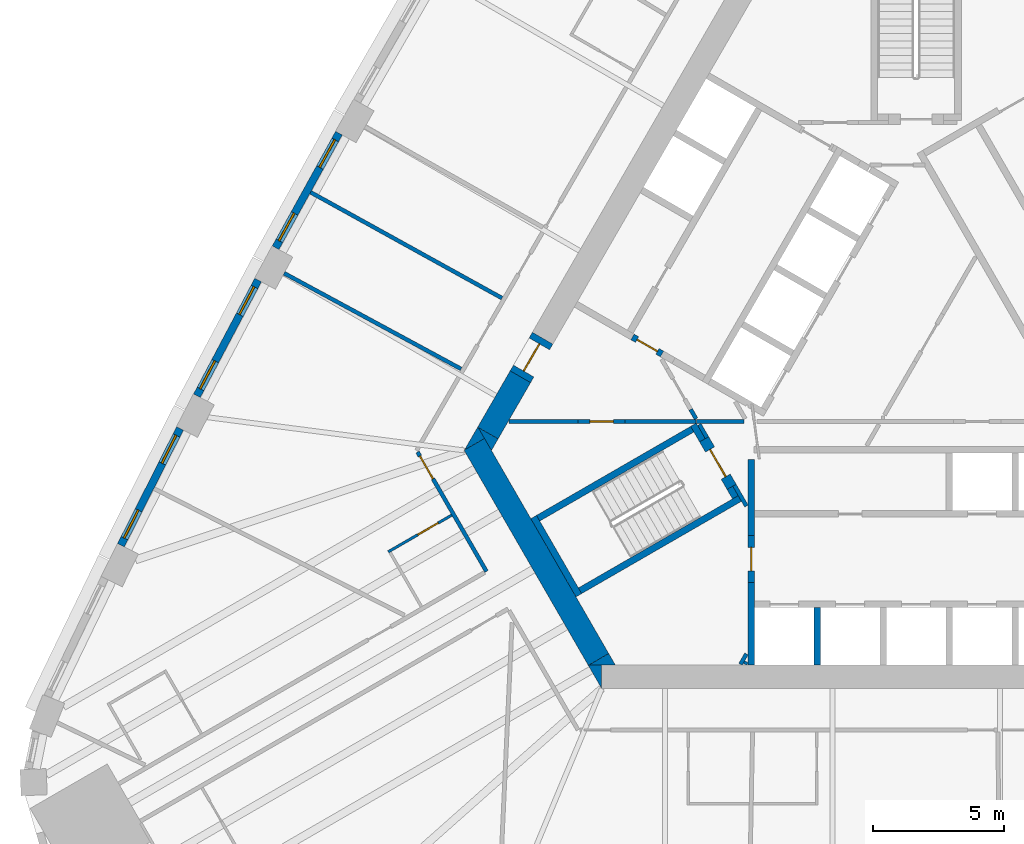
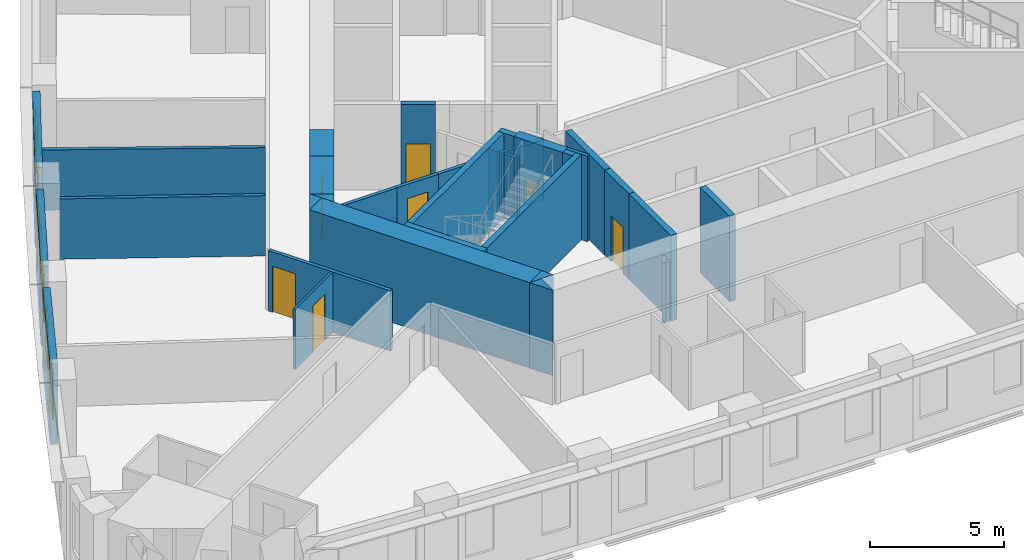
# One storey, part 4 of 13: 34 walls, 7 doors, 6 windows, 13 openings.
"""IFC4 building model written with IfcOpenShell, lengths in metres."""

from ifc_helpers import new_model, si_unit, direction, frame, frame_2d, origin, place, context, subcontext, project, spatial, polyline, rectangle, outline, extrude, material, layer, layer_set, type_object, element, fill, save


model = new_model("IFC4")

# Units and contexts
model_context = context("Model", 3, precision=1e-05, world=origin(), true_north=direction((0.0, 1.0)))
body_context = subcontext(model_context, "Body", "Model", "MODEL_VIEW")
ifc_project = project(units=[si_unit("LENGTHUNIT", "METRE"), si_unit("AREAUNIT", "SQUARE_METRE"), si_unit("VOLUMEUNIT", "CUBIC_METRE"), si_unit("PLANEANGLEUNIT", "RADIAN"), si_unit("MASSUNIT", "GRAM", prefix="KILO")], contexts=[model_context])

# Site, building, storey
site_placement = place(None, origin())
site = spatial("IfcSite", under=ifc_project, at=site_placement, CompositionType="ELEMENT")
building_placement = place(site_placement, origin())
building = spatial("IfcBuilding", under=site, at=building_placement, Name="Mestral Congress Tower", CompositionType="ELEMENT")
storey_placement = place(building_placement, frame((0.0, 0.0, 62.699951171875)))
storey = spatial("IfcBuildingStorey", under=building, at=storey_placement, Name="L14", CompositionType="ELEMENT", Elevation=62.699951171875)

# Walls
ifc_material_1 = material(Name="Fire-rated board partition")
ifc_layer_1 = layer(ifc_material_1, 0.14990234375)
ifc_layer_set_1 = layer_set([ifc_layer_1], Name="Fire-rated board partition")
wall_type_1 = type_object("IfcWallType", Name="Core partition 150", PredefinedType="PARTITIONING", material=ifc_layer_set_1)
wall_1_placement = place(storey_placement, frame((-6.707763671875, -12.068115234375, 0.0), z_axis=(0.0, 0.0, 1.0), x_axis=(0.500000789788, 0.8660249478, 0.0)))
element("IfcWall", 1, at=wall_1_placement, inside=storey, type_object=wall_type_1, Name="L14 core wall", PredefinedType="PARTITIONING", context=body_context, shape_type="SweptSolid", body=[
    extrude(rectangle(XDim=0.45556640625, YDim=0.14990234375, at=frame_2d((0.227783203125, 0.0))), origin(), (0.0, 0.0, 1.0), 2.75),
])
wall_2_placement = place(storey_placement, frame((-6.534423828125, -12.068115234375, 0.0), z_axis=(0.0, 0.0, 1.0), x_axis=(0.500240224089, 0.865886665912, 0.0)))
element("IfcWall", 2, at=wall_2_placement, inside=storey, type_object=wall_type_1, Name="L14 core wall", PredefinedType="PARTITIONING", context=body_context, shape_type="SweptSolid", body=[
    extrude(rectangle(XDim=0.10888671875, YDim=0.14990234375, at=frame_2d((0.054443359375, 0.0))), origin(), (0.0, 0.0, 1.0), 2.75),
])
wall_3_placement = place(storey_placement, frame((-12.9150390625, -2.800048828125, 0.0), z_axis=(0.0, 0.0, 1.0), x_axis=(-1.0, 0.0, 0.0)))
element("IfcWall", 3, at=wall_3_placement, inside=storey, type_object=wall_type_1, Name="L14 core wall", PredefinedType="PARTITIONING", context=body_context, shape_type="SweptSolid", body=[
    extrude(rectangle(XDim=2.63671875, YDim=0.14990234375, at=frame_2d((1.318359375, 0.0))), origin(), (0.0, 0.0, 1.0), 2.75),
])
wall_4_placement = place(storey_placement, frame((-8.394775390625, -2.800048828125, 0.0), z_axis=(0.0, 0.0, 1.0), x_axis=(1.0, 0.0, 0.0)))
element("IfcWall", 4, at=wall_4_placement, inside=storey, type_object=wall_type_1, Name="L14 core wall", PredefinedType="PARTITIONING", context=body_context, shape_type="SweptSolid", body=[
    extrude(rectangle(XDim=1.828125, YDim=0.14990234375, at=frame_2d((0.9140625, 0.0))), origin(), (0.0, 0.0, 1.0), 2.75),
])
wall_5_placement = place(storey_placement, frame((-11.11474609375, -2.800048828125, 0.0), z_axis=(0.0, 0.0, 1.0), x_axis=(1.0, 0.0, 0.0)))
element("IfcWall", 5, at=wall_5_placement, inside=storey, type_object=wall_type_1, Name="L14 core wall", PredefinedType="PARTITIONING", context=body_context, shape_type="SweptSolid", body=[
    extrude(rectangle(XDim=2.7080078125, YDim=0.14990234375, at=frame_2d((1.35400390625, 0.0))), origin(), (0.0, 0.0, 1.0), 2.75),
])
wall_6_placement = place(storey_placement, frame((-7.989990234375, -3.41162109375, 0.0), z_axis=(0.0, 0.0, 1.0), x_axis=(-0.500193841991, 0.86591346013, 0.0)))
element("IfcWall", 6, at=wall_6_placement, inside=storey, type_object=wall_type_1, Name="L14 core wall", PredefinedType="PARTITIONING", context=body_context, shape_type="SweptSolid", body=[
    extrude(rectangle(XDim=0.582763671875, YDim=0.14990234375, at=frame_2d((0.29150390625, 0.0))), origin(), (0.0, 0.0, 1.0), 2.75),
])
wall_7_placement = place(storey_placement, frame((-8.612060546875, -2.33349609375, 0.0), z_axis=(0.0, 0.0, 1.0), x_axis=(0.500248216681, -0.86588204838, 0.0)))
element("IfcWall", 7, at=wall_7_placement, inside=storey, type_object=wall_type_1, Name="L14 core wall", PredefinedType="PARTITIONING", context=body_context, shape_type="SweptSolid", body=[
    extrude(rectangle(XDim=0.415283203125, YDim=0.14990234375, at=frame_2d((0.20751953125, 0.0))), origin(), (0.0, 0.0, 1.0), 2.75),
])

# Wall, opening, door
wall_8_placement = place(storey_placement, frame((-12.914794921875, -2.800048828125, 0.0), z_axis=(0.0, 0.0, 1.0), x_axis=(1.0, 0.0, 0.0)))
wall_8 = element("IfcWall", 8, at=wall_8_placement, inside=storey, type_object=wall_type_1, Name="L14 door wall", PredefinedType="PARTITIONING", context=body_context, shape_type="SweptSolid", body=[
    extrude(rectangle(XDim=1.7998046875, YDim=0.14990234375, at=frame_2d((0.89990234375, 0.0))), origin(), (0.0, 0.0, 1.0), 2.75),
])
opening_1_placement = place(wall_8_placement, frame((0.449951171875, 0.0, 0.0)))
opening_1 = element("IfcOpeningElement", 9, at=opening_1_placement, cuts=wall_8, Name="Opening SD-HUB1", PredefinedType="OPENING", context=body_context, shape_type="SweptSolid", body=[
    extrude(rectangle(XDim=0.89990234375, YDim=2.10009765625, at=frame_2d((0.449951171875, 1.050048828125))), frame((0.0, 0.0849609375, 0.0), z_axis=(0.0, -1.0, 0.0), x_axis=(1.0, 0.0, 0.0)), (0.0, 0.0, 1.0), 0.169921875),
])
ifc_material_2 = material(Name="Fire-rated steel door set", Category="steel")
door_type_1 = type_object("IfcDoorType", Name="Core door SR 900x2100", OperationType="SINGLE_SWING_LEFT", PredefinedType="DOOR", material=ifc_material_2)
door_1_placement = place(opening_1_placement, origin())
door_1 = element("IfcDoor", 10, at=door_1_placement, inside=storey, type_object=door_type_1, Name="Door SD-HUB1", OperationType="SINGLE_SWING_LEFT", OverallHeight=2.10009765625, OverallWidth=0.89990234375, PredefinedType="DOOR", context=body_context, shape_type="SweptSolid", body=[
    extrude(rectangle(XDim=0.89990234375, YDim=2.10009765625, at=frame_2d((0.449951171875, 1.050048828125))), frame((0.0, 0.02490234375, 0.0), z_axis=(0.0, -1.0, 0.0), x_axis=(1.0, 0.0, 0.0)), (0.0, 0.0, 1.0), 0.050048828125),
])
fill(opening_1, door_1)

# Walls
ifc_material_3 = material(Name="Concrete C60/75", Category="concrete")
ifc_layer_2 = layer(ifc_material_3, 0.89990234375)
ifc_layer_set_2 = layer_set([ifc_layer_2], Name="Concrete C60/75")
wall_type_2 = type_object("IfcWallType", Name="Core wall RC 900", PredefinedType="SOLIDWALL", material=ifc_layer_set_2)
placement = place(storey_placement, origin())
element("IfcWall", 11, at=placement, inside=storey, type_object=wall_type_2, Name="L14 core wall", PredefinedType="SOLIDWALL", context=body_context, shape_type="SweptSolid", body=[
    extrude(outline(polyline([(-12.528564453125, -12.10009765625), (-12.0205078125, -12.10009765625), (-12.0205078125, -12.97998046875), (-12.528564453125, -12.10009765625)])), origin(), (0.0, 0.0, 1.0), 3.900146484375),
])
wall_10_placement = place(storey_placement, frame((-12.134033203125, -11.88330078125, 0.0), z_axis=(0.0, 0.0, 1.0), x_axis=(-0.500005339912, 0.866022320763, 0.0)))
element("IfcWall", 12, at=wall_10_placement, inside=storey, type_object=wall_type_2, Name="L14 core wall", PredefinedType="SOLIDWALL", context=body_context, shape_type="SweptSolid", body=[
    extrude(rectangle(XDim=9.48779296875, YDim=0.89990234375, at=frame_2d((4.743896484375, 0.0))), origin(), (0.0, 0.0, 1.0), 3.900146484375),
])
element("IfcWall", 13, at=placement, inside=storey, type_object=wall_type_2, Name="L14 core wall", PredefinedType="SOLIDWALL", context=body_context, shape_type="SweptSolid", body=[
    extrude(outline(polyline([(-16.4892578125, -3.43994140625), (-17.251220703125, -3.8798828125), (-16.7431640625, -3.0), (-16.4892578125, -3.43994140625)])), origin(), (0.0, 0.0, 1.0), 3.900146484375),
])
element("IfcWall", 14, at=placement, inside=storey, type_object=wall_type_2, Name="L14 core wall", PredefinedType="SOLIDWALL", context=body_context, shape_type="SweptSolid", body=[
    extrude(outline(polyline([(-11.4892578125, -12.10009765625), (-12.50537109375, -12.10009765625), (-11.743408203125, -11.66015625), (-11.4892578125, -12.10009765625)])), origin(), (0.0, 0.0, 1.0), 3.900146484375),
])
wall_13_placement = place(storey_placement, frame((-15.117919921875, -1.085205078125, 0.0), z_axis=(0.0, 0.0, 1.0), x_axis=(-0.50006606081, -0.865987260198, 0.0)))
element("IfcWall", 15, at=wall_13_placement, inside=storey, type_object=wall_type_2, Name="L14 core wall", PredefinedType="SOLIDWALL", context=body_context, shape_type="SweptSolid", body=[
    extrude(rectangle(XDim=2.480712890625, YDim=0.89990234375, at=frame_2d((1.240234375, 0.0))), origin(), (0.0, 0.0, 1.0), 3.900146484375),
])
element("IfcWall", 16, at=placement, inside=storey, type_object=wall_type_2, Name="L14 core wall", PredefinedType="SOLIDWALL", context=body_context, shape_type="SweptSolid", body=[
    extrude(outline(polyline([(-16.223388671875, -3.89990234375), (-16.731689453125, -3.02001953125), (-15.969482421875, -3.460205078125), (-16.223388671875, -3.89990234375)])), origin(), (0.0, 0.0, 1.0), 3.900146484375),
])

# Wall, opening, door
wall_15_placement = place(storey_placement, frame((-15.117919921875, -1.085205078125, 0.0), z_axis=(0.0, 0.0, 1.0), x_axis=(0.500000056704, 0.866025371046, 0.0)))
wall_15 = element("IfcWall", 17, at=wall_15_placement, inside=storey, type_object=wall_type_2, Name="L14 door wall", PredefinedType="SOLIDWALL", context=body_context, shape_type="SweptSolid", body=[
    extrude(rectangle(XDim=1.7001953125, YDim=0.89990234375, at=frame_2d((0.85009765625, 0.0))), origin(), (0.0, 0.0, 1.0), 3.900146484375),
])
opening_2_placement = place(wall_15_placement, frame((0.25, 0.0, 0.0)))
opening_2 = element("IfcOpeningElement", 18, at=opening_2_placement, cuts=wall_15, Name="Opening XD3", PredefinedType="OPENING", context=body_context, shape_type="SweptSolid", body=[
    extrude(rectangle(XDim=1.199951171875, YDim=2.10009765625, at=frame_2d((0.60009765625, 1.050048828125))), frame((0.0, 0.4599609375, 0.0), z_axis=(0.0, -1.0, 0.0), x_axis=(1.0, 0.0, 0.0)), (0.0, 0.0, 1.0), 0.919921875),
])
door_type_2 = type_object("IfcDoorType", Name="Core door XD 1200x2100", OperationType="SINGLE_SWING_LEFT", PredefinedType="DOOR", material=ifc_material_2)
door_2_placement = place(opening_2_placement, origin())
door_2 = element("IfcDoor", 19, at=door_2_placement, inside=storey, type_object=door_type_2, Name="Door XD3", OperationType="SINGLE_SWING_LEFT", OverallHeight=2.10009765625, OverallWidth=1.199951171875, PredefinedType="DOOR", context=body_context, shape_type="SweptSolid", body=[
    extrude(rectangle(XDim=1.199951171875, YDim=2.10009765625, at=frame_2d((0.60009765625, 1.050048828125))), frame((0.0, 0.02490234375, 0.0), z_axis=(0.0, -1.0, 0.0), x_axis=(1.0, 0.0, 0.0)), (0.0, 0.0, 1.0), 0.050048828125),
])
fill(opening_2, door_2)

# Wall, openings, windows
ifc_material_4 = material(Name="Precast concrete C40/50 with limestone facing", Category="masonry")
ifc_layer_3 = layer(ifc_material_4, 0.2900390625)
ifc_layer_set_3 = layer_set([ifc_layer_3], Name="Precast concrete C40/50 with limestone facing")
wall_type_3 = type_object("IfcWallType", Name="Facade stone wall 290", PredefinedType="SOLIDWALL", material=ifc_layer_set_3)
wall_16_placement = place(storey_placement, frame((-22.049560546875, 8.2197265625, 0.0), z_axis=(0.0, 0.0, 1.0), x_axis=(-0.483912572871, -0.875116347589, 0.0)))
wall_16 = element("IfcWall", 20, at=wall_16_placement, inside=storey, type_object=wall_type_3, Name="Facade wall F2-05", PredefinedType="SOLIDWALL", context=body_context, shape_type="SweptSolid", body=[
    extrude(rectangle(XDim=4.998291015625, YDim=0.2900390625, at=frame_2d((2.4990234375, 0.0))), origin(), (0.0, 0.0, 1.0), 3.650146484375),
])
opening_3_placement = place(wall_16_placement, frame((0.297119140625, 0.0, 0.89990234375)))
opening_3 = element("IfcOpeningElement", 21, at=opening_3_placement, cuts=wall_16, Name="Opening W1", PredefinedType="OPENING", context=body_context, shape_type="SweptSolid", body=[
    extrude(rectangle(XDim=1.199951171875, YDim=2.14990234375, at=frame_2d((0.60009765625, 1.074951171875))), frame((0.0, 0.155029296875, 0.0), z_axis=(0.0, -1.0, 0.0), x_axis=(1.0, 0.0, 0.0)), (0.0, 0.0, 1.0), 0.31005859375),
])
opening_4_placement = place(wall_16_placement, frame((3.501220703125, 0.0, 0.89990234375)))
opening_4 = element("IfcOpeningElement", 22, at=opening_4_placement, cuts=wall_16, Name="Opening W1", PredefinedType="OPENING", context=body_context, shape_type="SweptSolid", body=[
    extrude(rectangle(XDim=1.199951171875, YDim=2.14990234375, at=frame_2d((0.60009765625, 1.074951171875))), frame((0.0, 0.155029296875, 0.0), z_axis=(0.0, -1.0, 0.0), x_axis=(1.0, 0.0, 0.0)), (0.0, 0.0, 1.0), 0.31005859375),
])
ifc_material_5 = material(Name="Clear low-emissivity double glazing", Category="glass")
window_type = type_object("IfcWindowType", Name="Facade punched window 1200 x 2150 sill 900", PartitioningType="DOUBLE_PANEL_VERTICAL", PredefinedType="WINDOW", material=ifc_material_5)
window_1_placement = place(opening_3_placement, origin())
window_1 = element("IfcWindow", 23, at=window_1_placement, inside=storey, type_object=window_type, Name="Window F2-05a", OverallHeight=2.14990234375, OverallWidth=1.199951171875, PartitioningType="DOUBLE_PANEL_VERTICAL", PredefinedType="WINDOW", context=body_context, shape_type="SweptSolid", body=[
    extrude(rectangle(XDim=1.199951171875, YDim=2.14990234375, at=frame_2d((0.60009765625, 1.074951171875))), frame((0.0, 0.01513671875, 0.0), z_axis=(0.0, -1.0, 0.0), x_axis=(1.0, 0.0, 0.0)), (0.0, 0.0, 1.0), 0.06005859375),
])
fill(opening_3, window_1)
window_2_placement = place(opening_4_placement, origin())
window_2 = element("IfcWindow", 24, at=window_2_placement, inside=storey, type_object=window_type, Name="Window F2-05b", OverallHeight=2.14990234375, OverallWidth=1.199951171875, PartitioningType="DOUBLE_PANEL_VERTICAL", PredefinedType="WINDOW", context=body_context, shape_type="SweptSolid", body=[
    extrude(rectangle(XDim=1.199951171875, YDim=2.14990234375, at=frame_2d((0.60009765625, 1.074951171875))), frame((0.0, 0.01513671875, 0.0), z_axis=(0.0, -1.0, 0.0), x_axis=(1.0, 0.0, 0.0)), (0.0, 0.0, 1.0), 0.06005859375),
])
fill(opening_4, window_2)

wall_17_placement = place(storey_placement, frame((-25.1376953125, 2.60791015625, 0.0), z_axis=(0.0, 0.0, 1.0), x_axis=(-0.467629620899, -0.883924509026, 0.0)))
wall_17 = element("IfcWall", 25, at=wall_17_placement, inside=storey, type_object=wall_type_3, Name="Facade wall F2-06", PredefinedType="SOLIDWALL", context=body_context, shape_type="SweptSolid", body=[
    extrude(rectangle(XDim=4.998291015625, YDim=0.2900390625, at=frame_2d((2.4990234375, 0.0))), origin(), (0.0, 0.0, 1.0), 3.650146484375),
])
opening_5_placement = place(wall_17_placement, frame((0.297119140625, 0.0, 0.89990234375)))
opening_5 = element("IfcOpeningElement", 26, at=opening_5_placement, cuts=wall_17, Name="Opening W1", PredefinedType="OPENING", context=body_context, shape_type="SweptSolid", body=[
    extrude(rectangle(XDim=1.199951171875, YDim=2.14990234375, at=frame_2d((0.60009765625, 1.074951171875))), frame((0.0, 0.155029296875, 0.0), z_axis=(0.0, -1.0, 0.0), x_axis=(1.0, 0.0, 0.0)), (0.0, 0.0, 1.0), 0.31005859375),
])
opening_6_placement = place(wall_17_placement, frame((3.501220703125, 0.0, 0.89990234375)))
opening_6 = element("IfcOpeningElement", 27, at=opening_6_placement, cuts=wall_17, Name="Opening W1", PredefinedType="OPENING", context=body_context, shape_type="SweptSolid", body=[
    extrude(rectangle(XDim=1.199951171875, YDim=2.14990234375, at=frame_2d((0.60009765625, 1.074951171875))), frame((0.0, 0.155029296875, 0.0), z_axis=(0.0, -1.0, 0.0), x_axis=(1.0, 0.0, 0.0)), (0.0, 0.0, 1.0), 0.31005859375),
])
window_3_placement = place(opening_5_placement, origin())
window_3 = element("IfcWindow", 28, at=window_3_placement, inside=storey, type_object=window_type, Name="Window F2-06a", OverallHeight=2.14990234375, OverallWidth=1.199951171875, PartitioningType="DOUBLE_PANEL_VERTICAL", PredefinedType="WINDOW", context=body_context, shape_type="SweptSolid", body=[
    extrude(rectangle(XDim=1.199951171875, YDim=2.14990234375, at=frame_2d((0.60009765625, 1.074951171875))), frame((0.0, 0.01513671875, 0.0), z_axis=(0.0, -1.0, 0.0), x_axis=(1.0, 0.0, 0.0)), (0.0, 0.0, 1.0), 0.06005859375),
])
fill(opening_5, window_3)
window_4_placement = place(opening_6_placement, origin())
window_4 = element("IfcWindow", 29, at=window_4_placement, inside=storey, type_object=window_type, Name="Window F2-06b", OverallHeight=2.14990234375, OverallWidth=1.199951171875, PartitioningType="DOUBLE_PANEL_VERTICAL", PredefinedType="WINDOW", context=body_context, shape_type="SweptSolid", body=[
    extrude(rectangle(XDim=1.199951171875, YDim=2.14990234375, at=frame_2d((0.60009765625, 1.074951171875))), frame((0.0, 0.01513671875, 0.0), z_axis=(0.0, -1.0, 0.0), x_axis=(1.0, 0.0, 0.0)), (0.0, 0.0, 1.0), 0.06005859375),
])
fill(opening_6, window_4)

wall_18_placement = place(storey_placement, frame((-28.12158203125, -3.06005859375, 0.0), z_axis=(0.0, 0.0, 1.0), x_axis=(-0.451233929645, -0.892405704115, 0.0)))
wall_18 = element("IfcWall", 30, at=wall_18_placement, inside=storey, type_object=wall_type_3, Name="Facade wall F2-07", PredefinedType="SOLIDWALL", context=body_context, shape_type="SweptSolid", body=[
    extrude(rectangle(XDim=4.998291015625, YDim=0.2900390625, at=frame_2d((2.4990234375, 0.0))), origin(), (0.0, 0.0, 1.0), 3.650146484375),
])
opening_7_placement = place(wall_18_placement, frame((0.297119140625, 0.0, 0.89990234375)))
opening_7 = element("IfcOpeningElement", 31, at=opening_7_placement, cuts=wall_18, Name="Opening W1", PredefinedType="OPENING", context=body_context, shape_type="SweptSolid", body=[
    extrude(rectangle(XDim=1.199951171875, YDim=2.14990234375, at=frame_2d((0.60009765625, 1.074951171875))), frame((0.0, 0.155029296875, 0.0), z_axis=(0.0, -1.0, 0.0), x_axis=(1.0, 0.0, 0.0)), (0.0, 0.0, 1.0), 0.31005859375),
])
opening_8_placement = place(wall_18_placement, frame((3.501220703125, 0.0, 0.89990234375)))
opening_8 = element("IfcOpeningElement", 32, at=opening_8_placement, cuts=wall_18, Name="Opening W1", PredefinedType="OPENING", context=body_context, shape_type="SweptSolid", body=[
    extrude(rectangle(XDim=1.199951171875, YDim=2.14990234375, at=frame_2d((0.60009765625, 1.074951171875))), frame((0.0, 0.155029296875, 0.0), z_axis=(0.0, -1.0, 0.0), x_axis=(1.0, 0.0, 0.0)), (0.0, 0.0, 1.0), 0.31005859375),
])
window_5_placement = place(opening_7_placement, origin())
window_5 = element("IfcWindow", 33, at=window_5_placement, inside=storey, type_object=window_type, Name="Window F2-07a", OverallHeight=2.14990234375, OverallWidth=1.199951171875, PartitioningType="DOUBLE_PANEL_VERTICAL", PredefinedType="WINDOW", context=body_context, shape_type="SweptSolid", body=[
    extrude(rectangle(XDim=1.199951171875, YDim=2.14990234375, at=frame_2d((0.60009765625, 1.074951171875))), frame((0.0, 0.01513671875, 0.0), z_axis=(0.0, -1.0, 0.0), x_axis=(1.0, 0.0, 0.0)), (0.0, 0.0, 1.0), 0.06005859375),
])
fill(opening_7, window_5)
window_6_placement = place(opening_8_placement, origin())
window_6 = element("IfcWindow", 34, at=window_6_placement, inside=storey, type_object=window_type, Name="Window F2-07b", OverallHeight=2.14990234375, OverallWidth=1.199951171875, PartitioningType="DOUBLE_PANEL_VERTICAL", PredefinedType="WINDOW", context=body_context, shape_type="SweptSolid", body=[
    extrude(rectangle(XDim=1.199951171875, YDim=2.14990234375, at=frame_2d((0.60009765625, 1.074951171875))), frame((0.0, 0.01513671875, 0.0), z_axis=(0.0, -1.0, 0.0), x_axis=(1.0, 0.0, 0.0)), (0.0, 0.0, 1.0), 0.06005859375),
])
fill(opening_8, window_6)

# Wall, opening, door
ifc_material_6 = material(Name="Gypsum board partition on metal studs with mineral wool", Category="composite")
ifc_layer_4 = layer(ifc_material_6, 0.10009765625)
ifc_layer_set_4 = layer_set([ifc_layer_4], Name="Gypsum board partition on metal studs with mineral wool")
wall_type_4 = type_object("IfcWallType", Name="Hotel partition wall 100", PredefinedType="PARTITIONING", material=ifc_layer_set_4)
wall_19_placement = place(storey_placement, frame((-17.740234375, -6.372802734375, 0.0), z_axis=(0.0, 0.0, 1.0), x_axis=(-0.866018616679, -0.500011755427, 0.0)))
wall_19 = element("IfcWall", 35, at=wall_19_placement, inside=storey, type_object=wall_type_4, Name="L14-h-pod22a", PredefinedType="PARTITIONING", context=body_context, shape_type="SweptSolid", body=[
    extrude(rectangle(XDim=2.80029296875, YDim=0.10009765625, at=frame_2d((1.400146484375, 0.0))), origin(), (0.0, 0.0, 1.0), 2.75),
])
opening_9_placement = place(wall_19_placement, frame((0.60009765625, 0.0, 0.0)))
opening_9 = element("IfcOpeningElement", 36, at=opening_9_placement, cuts=wall_19, Name="Opening H04-042", PredefinedType="OPENING", context=body_context, shape_type="SweptSolid", body=[
    extrude(rectangle(XDim=0.89990234375, YDim=2.10009765625, at=frame_2d((0.449951171875, 1.050048828125))), frame((0.0, 0.06005859375, 0.0), z_axis=(0.0, -1.0, 0.0), x_axis=(1.0, 0.0, 0.0)), (0.0, 0.0, 1.0), 0.1201171875),
])
ifc_material_7 = material(Name="Timber veneer door leaf in timber frame", Category="wood")
door_type_3 = type_object("IfcDoorType", Name="Bathroom door 900", OperationType="SINGLE_SWING_LEFT", PredefinedType="DOOR", material=ifc_material_7)
door_3_placement = place(opening_9_placement, origin())
door_3 = element("IfcDoor", 37, at=door_3_placement, inside=storey, type_object=door_type_3, Name="L14-h-d042", OperationType="SINGLE_SWING_LEFT", OverallHeight=2.10009765625, OverallWidth=0.89990234375, PredefinedType="DOOR", context=body_context, shape_type="SweptSolid", body=[
    extrude(rectangle(XDim=0.89990234375, YDim=2.10009765625, at=frame_2d((0.449951171875, 1.050048828125))), frame((0.0, 0.02490234375, 0.0), z_axis=(0.0, -1.0, 0.0), x_axis=(1.0, 0.0, 0.0)), (0.0, 0.0, 1.0), 0.050048828125),
])
fill(opening_9, door_3)

ifc_layer_5 = layer(ifc_material_6, 0.14990234375)
ifc_layer_set_5 = layer_set([ifc_layer_5], Name="Gypsum board partition on metal studs with mineral wool")
wall_type_5 = type_object("IfcWallType", Name="Hotel partition wall 150", PredefinedType="PARTITIONING", material=ifc_layer_set_5)
wall_20_placement = place(storey_placement, frame((-16.412353515625, -8.52294921875, 0.0), z_axis=(0.0, 0.0, 1.0), x_axis=(-0.500001929737, 0.866024289647, 0.0)))
wall_20 = element("IfcWall", 38, at=wall_20_placement, inside=storey, type_object=wall_type_5, Name="L14-h-cw09", PredefinedType="PARTITIONING", context=body_context, shape_type="SweptSolid", body=[
    extrude(rectangle(XDim=5.26806640625, YDim=0.14990234375, at=frame_2d((2.634033203125, 0.0))), origin(), (0.0, 0.0, 1.0), 2.75),
])
opening_10_placement = place(wall_20_placement, frame((4.088134765625, 0.0, 0.0)))
opening_10 = element("IfcOpeningElement", 39, at=opening_10_placement, cuts=wall_20, Name="Opening H04-041", PredefinedType="OPENING", context=body_context, shape_type="SweptSolid", body=[
    extrude(rectangle(XDim=1.0, YDim=2.10009765625, at=frame_2d((0.5, 1.050048828125))), frame((0.0, 0.0849609375, 0.0), z_axis=(0.0, -1.0, 0.0), x_axis=(1.0, 0.0, 0.0)), (0.0, 0.0, 1.0), 0.169921875),
])
ifc_material_8 = material(Name="Timber veneer door leaf in metal frame", Category="wood")
door_type_4 = type_object("IfcDoorType", Name="Guest room entrance door 1000", OperationType="SINGLE_SWING_LEFT", PredefinedType="DOOR", material=ifc_material_8)
door_4_placement = place(opening_10_placement, origin())
door_4 = element("IfcDoor", 40, at=door_4_placement, inside=storey, type_object=door_type_4, Name="L14-h-d041", OperationType="SINGLE_SWING_RIGHT", OverallHeight=2.10009765625, OverallWidth=1.0, PredefinedType="DOOR", context=body_context, shape_type="SweptSolid", body=[
    extrude(rectangle(XDim=1.0, YDim=2.10009765625, at=frame_2d((0.5, 1.050048828125))), frame((0.0, 0.02490234375, 0.0), z_axis=(0.0, -1.0, 0.0), x_axis=(1.0, 0.0, 0.0)), (0.0, 0.0, 1.0), 0.050048828125),
])
fill(opening_10, door_4)

# Walls
wall_21_placement = place(storey_placement, frame((-24.14453125, 2.87060546875, 0.0), z_axis=(0.0, 0.0, 1.0), x_axis=(0.879551725039, -0.475803281809, 0.0)))
element("IfcWall", 41, at=wall_21_placement, inside=storey, type_object=wall_type_5, Name="L14-h-pw03", PredefinedType="PARTITIONING", context=body_context, shape_type="SweptSolid", body=[
    extrude(rectangle(XDim=7.68798828125, YDim=0.14990234375, at=frame_2d((3.843994140625, 0.0))), origin(), (0.0, 0.0, 1.0), 2.75),
])
wall_22_placement = place(storey_placement, frame((-23.1318359375, 5.96240234375, 0.0), z_axis=(0.0, 0.0, 1.0), x_axis=(0.875121716713, -0.483902863121, 0.0)))
element("IfcWall", 42, at=wall_22_placement, inside=storey, type_object=wall_type_5, Name="L14-h-pw04", PredefinedType="PARTITIONING", context=body_context, shape_type="SweptSolid", body=[
    extrude(rectangle(XDim=8.35546875, YDim=0.14990234375, at=frame_2d((4.177734375, 0.0))), origin(), (0.0, 0.0, 1.0), 2.75),
])
ifc_layer_6 = layer(ifc_material_3, 0.25)
ifc_layer_set_6 = layer_set([ifc_layer_6], Name="Concrete C60/75")
wall_type_6 = type_object("IfcWallType", Name="Shaft wall RC 250", PredefinedType="SOLIDWALL", material=ifc_layer_set_6)
wall_23_placement = place(storey_placement, frame((-3.780029296875, -12.10009765625, 0.0), z_axis=(0.0, 0.0, 1.0), x_axis=(0.0, 1.0, 0.0)))
element("IfcWall", 43, at=wall_23_placement, inside=storey, type_object=wall_type_6, Name="L14 core wall", PredefinedType="SOLIDWALL", context=body_context, shape_type="SweptSolid", body=[
    extrude(rectangle(XDim=2.199951171875, YDim=0.25, at=frame_2d((1.10009765625, 0.0))), origin(), (0.0, 0.0, 1.0), 3.900146484375),
])
wall_24_placement = place(storey_placement, frame((-6.300048828125, -12.10009765625, 0.0), z_axis=(0.0, 0.0, 1.0), x_axis=(0.0, 1.0, 0.0)))
element("IfcWall", 44, at=wall_24_placement, inside=storey, type_object=wall_type_6, Name="L14 core wall", PredefinedType="SOLIDWALL", context=body_context, shape_type="SweptSolid", body=[
    extrude(rectangle(XDim=3.1455078125, YDim=0.25, at=frame_2d((1.57275390625, 0.0))), origin(), (0.0, 0.0, 1.0), 3.900146484375),
])
wall_25_placement = place(storey_placement, frame((-6.300048828125, -4.239990234375, 0.0), z_axis=(0.0, 0.0, 1.0), x_axis=(0.0, -1.0, 0.0)))
element("IfcWall", 45, at=wall_25_placement, inside=storey, type_object=wall_type_6, Name="L14 core wall", PredefinedType="SOLIDWALL", context=body_context, shape_type="SweptSolid", body=[
    extrude(rectangle(XDim=2.914306640625, YDim=0.25, at=frame_2d((1.45703125, 0.0))), origin(), (0.0, 0.0, 1.0), 3.900146484375),
])

# Wall, opening, door
wall_26_placement = place(storey_placement, frame((-9.7080078125, -0.215087890625, 0.0), z_axis=(0.0, 0.0, 1.0), x_axis=(-0.866004217611, 0.500036693733, 0.0)))
wall_26 = element("IfcWall", 46, at=wall_26_placement, inside=storey, type_object=wall_type_6, Name="L14 door wall", PredefinedType="SOLIDWALL", context=body_context, shape_type="SweptSolid", body=[
    extrude(rectangle(XDim=1.30029296875, YDim=0.25, at=frame_2d((0.650146484375, 0.0))), origin(), (0.0, 0.0, 1.0), 3.900146484375),
])
opening_11_placement = place(wall_26_placement, frame((0.199951171875, 0.0, 0.0)))
opening_11 = element("IfcOpeningElement", 47, at=opening_11_placement, cuts=wall_26, Name="Opening PD3", PredefinedType="OPENING", context=body_context, shape_type="SweptSolid", body=[
    extrude(rectangle(XDim=0.89990234375, YDim=2.10009765625, at=frame_2d((0.449951171875, 1.050048828125))), frame((0.0, 0.135009765625, 0.0), z_axis=(0.0, -1.0, 0.0), x_axis=(1.0, 0.0, 0.0)), (0.0, 0.0, 1.0), 0.27001953125),
])
door_type_5 = type_object("IfcDoorType", Name="Core door PD 900x2100", OperationType="SINGLE_SWING_LEFT", PredefinedType="DOOR", material=ifc_material_2)
door_5_placement = place(opening_11_placement, origin())
door_5 = element("IfcDoor", 48, at=door_5_placement, inside=storey, type_object=door_type_5, Name="Door PD3", OperationType="SINGLE_SWING_LEFT", OverallHeight=2.10009765625, OverallWidth=0.89990234375, PredefinedType="DOOR", context=body_context, shape_type="SweptSolid", body=[
    extrude(rectangle(XDim=0.89990234375, YDim=2.10009765625, at=frame_2d((0.449951171875, 1.050048828125))), frame((0.0, 0.02490234375, 0.0), z_axis=(0.0, -1.0, 0.0), x_axis=(1.0, 0.0, 0.0)), (0.0, 0.0, 1.0), 0.050048828125),
])
fill(opening_11, door_5)

wall_27_placement = place(storey_placement, frame((-6.300048828125, -7.154296875, 0.0), z_axis=(0.0, 0.0, 1.0), x_axis=(0.0, -1.0, 0.0)))
wall_27 = element("IfcWall", 49, at=wall_27_placement, inside=storey, type_object=wall_type_6, Name="L14 door wall", PredefinedType="SOLIDWALL", context=body_context, shape_type="SweptSolid", body=[
    extrude(rectangle(XDim=1.800048828125, YDim=0.25, at=frame_2d((0.89990234375, 0.0))), origin(), (0.0, 0.0, 1.0), 3.900146484375),
])
opening_12_placement = place(wall_27_placement, frame((0.449951171875, 0.0, 0.0)))
opening_12 = element("IfcOpeningElement", 50, at=opening_12_placement, cuts=wall_27, Name="Opening TD3", PredefinedType="OPENING", context=body_context, shape_type="SweptSolid", body=[
    extrude(rectangle(XDim=0.89990234375, YDim=2.10009765625, at=frame_2d((0.449951171875, 1.050048828125))), frame((0.0, 0.135009765625, 0.0), z_axis=(0.0, -1.0, 0.0), x_axis=(1.0, 0.0, 0.0)), (0.0, 0.0, 1.0), 0.27001953125),
])
door_6_placement = place(opening_12_placement, origin())
door_6 = element("IfcDoor", 51, at=door_6_placement, inside=storey, type_object=door_type_1, Name="Door TD3", OperationType="SINGLE_SWING_LEFT", OverallHeight=2.10009765625, OverallWidth=0.89990234375, PredefinedType="DOOR", context=body_context, shape_type="SweptSolid", body=[
    extrude(rectangle(XDim=0.89990234375, YDim=2.10009765625, at=frame_2d((0.449951171875, 1.050048828125))), frame((0.0, 0.02490234375, 0.0), z_axis=(0.0, -1.0, 0.0), x_axis=(1.0, 0.0, 0.0)), (0.0, 0.0, 1.0), 0.050048828125),
])
fill(opening_12, door_6)

# Walls
ifc_layer_7 = layer(ifc_material_3, 0.14990234375)
ifc_layer_set_7 = layer_set([ifc_layer_7], Name="Concrete C60/75")
wall_type_7 = type_object("IfcWallType", Name="Shaft wall RC 250 door-wall 150", PredefinedType="SOLIDWALL", material=ifc_layer_set_7)
wall_28_placement = place(storey_placement, frame((-6.48046875, -6.026611328125, 0.0), z_axis=(0.0, 0.0, 1.0), x_axis=(-0.499936960004, 0.866061796884, 0.0)))
element("IfcWall", 52, at=wall_28_placement, inside=storey, type_object=wall_type_7, Name="L14 core wall", PredefinedType="PARTITIONING", context=body_context, shape_type="SweptSolid", body=[
    extrude(rectangle(XDim=0.91943359375, YDim=0.14990234375, at=frame_2d((0.459716796875, 0.0))), origin(), (0.0, 0.0, 1.0), 3.900146484375),
])
ifc_layer_8 = layer(ifc_material_3, 0.25)
ifc_layer_set_8 = layer_set([ifc_layer_8], Name="Concrete C60/75")
wall_type_8 = type_object("IfcWallType", Name="Stair wall RC 250", PredefinedType="SOLIDWALL", material=ifc_layer_set_8)
wall_29_placement = place(storey_placement, frame((-12.885498046875, -9.431396484375, 0.0), z_axis=(0.0, 0.0, 1.0), x_axis=(-0.500020560727, 0.866013532718, 0.0)))
element("IfcWall", 53, at=wall_29_placement, inside=storey, type_object=wall_type_8, Name="L14 core wall", PredefinedType="SOLIDWALL", context=body_context, shape_type="SweptSolid", body=[
    extrude(rectangle(XDim=3.449951171875, YDim=0.25, at=frame_2d((1.72509765625, 0.0))), origin(), (0.0, 0.0, 1.0), 3.900146484375),
])
wall_30_placement = place(storey_placement, frame((-14.43994140625, -6.489501953125, 0.0), z_axis=(0.0, 0.0, 1.0), x_axis=(0.866022966069, 0.500004222222, 0.0)))
element("IfcWall", 54, at=wall_30_placement, inside=storey, type_object=wall_type_8, Name="L14 core wall", PredefinedType="SOLIDWALL", context=body_context, shape_type="SweptSolid", body=[
    extrude(rectangle(XDim=6.80029296875, YDim=0.25, at=frame_2d((3.400146484375, 0.0))), origin(), (0.0, 0.0, 1.0), 3.900146484375),
])
wall_31_placement = place(storey_placement, frame((-8.162841796875, -3.51123046875, 0.0), z_axis=(0.0, 0.0, 1.0), x_axis=(-0.500206266495, 0.865906283012, 0.0)))
element("IfcWall", 55, at=wall_31_placement, inside=storey, type_object=wall_type_8, Name="L14 core wall", PredefinedType="SOLIDWALL", context=body_context, shape_type="SweptSolid", body=[
    extrude(rectangle(XDim=0.684326171875, YDim=0.25, at=frame_2d((0.34228515625, 0.0))), origin(), (0.0, 0.0, 1.0), 3.900146484375),
])
wall_32_placement = place(storey_placement, frame((-12.83984375, -9.2607421875, 0.0), z_axis=(0.0, 0.0, 1.0), x_axis=(0.866016039709, 0.500016218704, 0.0)))
element("IfcWall", 56, at=wall_32_placement, inside=storey, type_object=wall_type_8, Name="L14 core wall", PredefinedType="SOLIDWALL", context=body_context, shape_type="SweptSolid", body=[
    extrude(rectangle(XDim=7.050048828125, YDim=0.25, at=frame_2d((3.52490234375, 0.0))), origin(), (0.0, 0.0, 1.0), 3.900146484375),
])
wall_33_placement = place(storey_placement, frame((-6.905029296875, -5.68994140625, 0.0), z_axis=(0.0, 0.0, 1.0), x_axis=(-0.499993700073, 0.866029041019, 0.0)))
element("IfcWall", 57, at=wall_33_placement, inside=storey, type_object=wall_type_8, Name="L14 core wall", PredefinedType="SOLIDWALL", context=body_context, shape_type="SweptSolid", body=[
    extrude(rectangle(XDim=0.41552734375, YDim=0.25, at=frame_2d((0.207763671875, 0.0))), origin(), (0.0, 0.0, 1.0), 3.900146484375),
])

# Wall, opening, door
ifc_layer_9 = layer(ifc_material_3, 0.39990234375)
ifc_layer_set_9 = layer_set([ifc_layer_9], Name="Concrete C60/75")
wall_type_9 = type_object("IfcWallType", Name="Stair wall RC 250 door-wall 400", PredefinedType="SOLIDWALL", material=ifc_layer_set_9)
wall_34_placement = place(storey_placement, frame((-8.097900390625, -3.473876953125, 0.0), z_axis=(0.0, 0.0, 1.0), x_axis=(0.49994051562, -0.866059744384, 0.0)))
wall_34 = element("IfcWall", 58, at=wall_34_placement, inside=storey, type_object=wall_type_9, Name="L14 door wall", PredefinedType="SOLIDWALL", context=body_context, shape_type="SweptSolid", body=[
    extrude(rectangle(XDim=2.099853515625, YDim=0.39990234375, at=frame_2d((1.0498046875, 0.0))), origin(), (0.0, 0.0, 1.0), 3.900146484375),
])
opening_13_placement = place(wall_34_placement, frame((0.449951171875, 0.0, 0.0)))
opening_13 = element("IfcOpeningElement", 59, at=opening_13_placement, cuts=wall_34, Name="Opening ST-D3", PredefinedType="OPENING", context=body_context, shape_type="SweptSolid", body=[
    extrude(rectangle(XDim=1.199951171875, YDim=2.10009765625, at=frame_2d((0.60009765625, 1.050048828125))), frame((0.0, 0.2099609375, 0.0), z_axis=(0.0, -1.0, 0.0), x_axis=(1.0, 0.0, 0.0)), (0.0, 0.0, 1.0), 0.419921875),
])
door_type_6 = type_object("IfcDoorType", Name="Core door ST 1200x2100", OperationType="SINGLE_SWING_LEFT", PredefinedType="DOOR", material=ifc_material_2)
door_7_placement = place(opening_13_placement, origin())
door_7 = element("IfcDoor", 60, at=door_7_placement, inside=storey, type_object=door_type_6, Name="Door ST-D3", OperationType="SINGLE_SWING_LEFT", OverallHeight=2.10009765625, OverallWidth=1.199951171875, PredefinedType="DOOR", context=body_context, shape_type="SweptSolid", body=[
    extrude(rectangle(XDim=1.199951171875, YDim=2.10009765625, at=frame_2d((0.60009765625, 1.050048828125))), frame((0.0, 0.02490234375, 0.0), z_axis=(0.0, -1.0, 0.0), x_axis=(1.0, 0.0, 0.0)), (0.0, 0.0, 1.0), 0.050048828125),
])
fill(opening_13, door_7)

save(model, "model.ifc")
